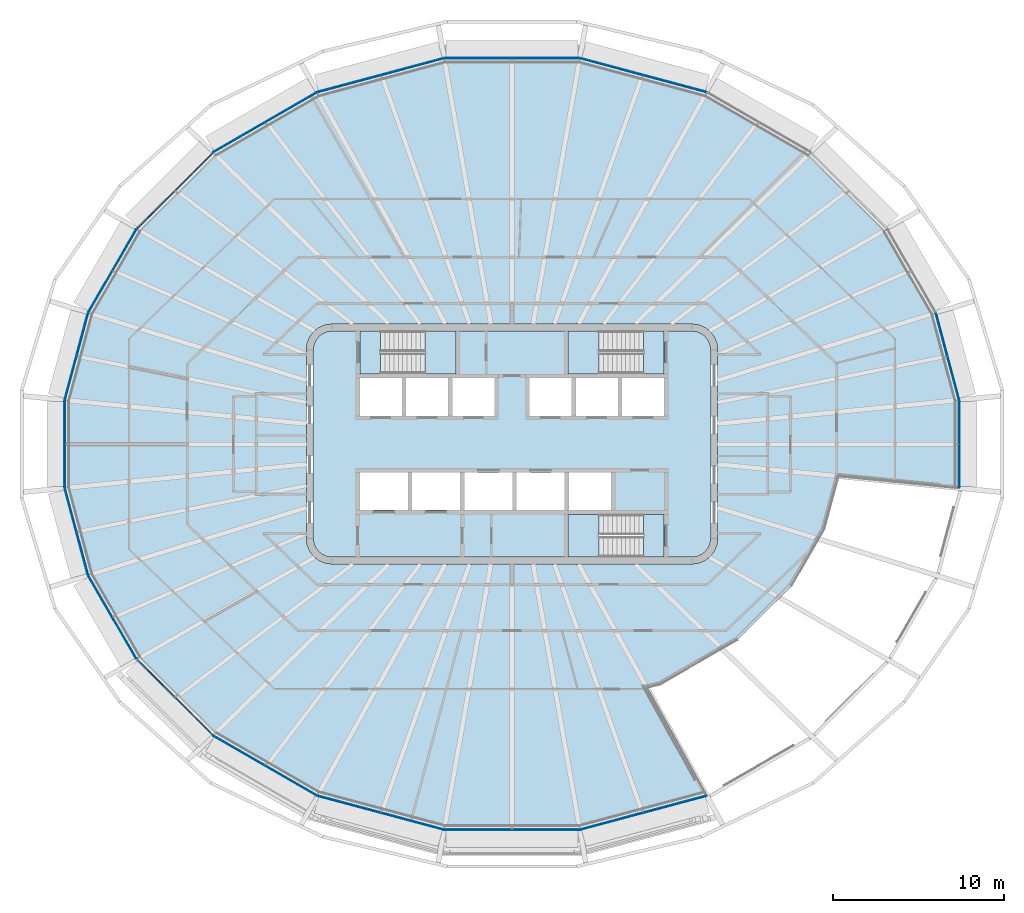
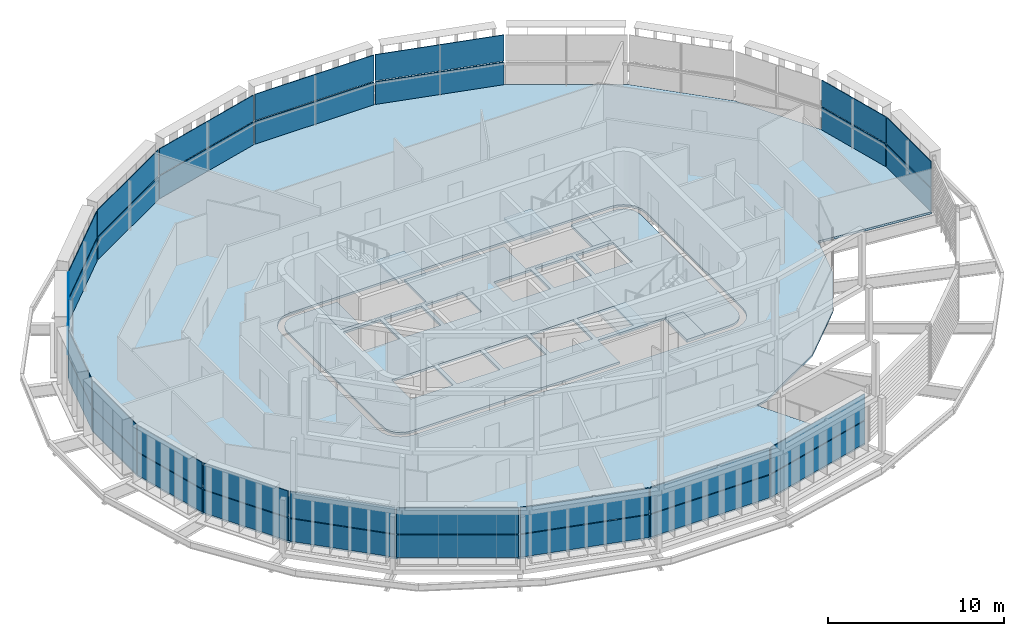
# One storey, part 7 of 18: 34 plates, 8 slabs, 20 elements without a shape of their own.
"""IFC4 building model written with IfcOpenShell, lengths in metres."""

from ifc_helpers import new_model, si_unit, direction, frame, origin, place, context, subcontext, project, spatial, polyline, outline, extrude, material, layer, layer_set, type_object, element, aggregate, save


model = new_model("IFC4")

# Units and contexts
model_context = context("Model", 3, precision=1e-05, world=origin(), true_north=direction((0.0, 1.0)))
body_context = subcontext(model_context, "Body", "Model", "MODEL_VIEW")
ifc_project = project(units=[si_unit("LENGTHUNIT", "METRE"), si_unit("AREAUNIT", "SQUARE_METRE"), si_unit("VOLUMEUNIT", "CUBIC_METRE"), si_unit("PLANEANGLEUNIT", "RADIAN"), si_unit("MASSUNIT", "GRAM", prefix="KILO")], contexts=[model_context])

# Site, building, storey
site_placement = place(None, origin())
site = spatial("IfcSite", under=ifc_project, at=site_placement, CompositionType="ELEMENT")
building_placement = place(site_placement, origin())
building = spatial("IfcBuilding", under=site, at=building_placement, Name="Sahrelin Media Tower", CompositionType="ELEMENT")
storey_placement = place(building_placement, frame((0.0, 0.0, 308.39990234375)))
storey = spatial("IfcBuildingStorey", under=building, at=storey_placement, Name="L68", CompositionType="ELEMENT", Elevation=308.39990234375)

# Slabs
ifc_material_1 = material(Name="Concrete C40/50", Category="concrete")
ifc_layer_1 = layer(ifc_material_1, 0.14990234375)
ifc_layer_set_1 = layer_set([ifc_layer_1], Name="Composite floor slab 150")
slab_type_1 = type_object("IfcSlabType", Name="Composite floor slab 150", PredefinedType="FLOOR", material=ifc_layer_set_1)
placement_1 = place(storey_placement, frame((0.0, 0.0, -0.14990234375)))
element("IfcSlab", 1, at=placement_1, inside=storey, type_object=slab_type_1, Name="Floor slab L68", PredefinedType="FLOOR", context=body_context, shape_type="SweptSolid", body=[
    extrude(outline(polyline([(26.078369140625, -2.56591796875), (26.07861328125, -2.565185546875), (26.07861328125, 2.565185546875), (24.7158203125, 7.650634765625), (21.885498046875, 12.55322265625), (17.441162109375, 16.997314453125), (11.3564453125, 20.510498046875), (3.95751953125, 22.492919921875), (-3.95751953125, 22.492919921875), (-11.3564453125, 20.510498046875), (-17.441162109375, 16.997314453125), (-21.885498046875, 12.55322265625), (-24.7158203125, 7.650634765625), (-26.07861328125, 2.565185546875), (-26.07861328125, -2.565185546875), (-24.7158203125, -7.650634765625), (-21.885498046875, -12.55322265625), (-17.441162109375, -16.997314453125), (-11.3564453125, -20.510498046875), (-3.95751953125, -22.492919921875), (3.95751953125, -22.492919921875), (11.354248046875, -20.510986328125), (7.87060546875, -14.21826171875), (8.662353515625, -14.006103515625), (13.155517578125, -11.412109375), (16.300048828125, -8.267333984375), (18.21142578125, -4.956298828125), (19.03759765625, -1.873291015625), (26.078369140625, -2.56591796875)]), holes=[polyline([(11.799072265625, 6.25), (11.948974609375, 5.88818359375), (12.0, 5.5), (12.0, -5.5), (11.948974609375, -5.88818359375), (11.799072265625, -6.25), (11.560791015625, -6.560791015625), (11.25, -6.799072265625), (10.88818359375, -6.948974609375), (10.5, -7.0), (-10.5, -7.0), (-10.88818359375, -6.948974609375), (-11.25, -6.799072265625), (-11.560791015625, -6.560791015625), (-11.799072265625, -6.25), (-11.948974609375, -5.88818359375), (-12.0, -5.5), (-12.0, 5.5), (-11.948974609375, 5.88818359375), (-11.799072265625, 6.25), (-11.560791015625, 6.560791015625), (-11.25, 6.799072265625), (-10.88818359375, 6.948974609375), (-10.5, 7.0), (10.5, 7.0), (10.88818359375, 6.948974609375), (11.25, 6.799072265625), (11.560791015625, 6.560791015625), (11.799072265625, 6.25)])]), origin(), (0.0, 0.0, 1.0), 0.14990234375),
])
ifc_layer_2 = layer(ifc_material_1, 0.14990234375)
ifc_layer_set_2 = layer_set([ifc_layer_2], Name="Core floor slab 150")
slab_type_2 = type_object("IfcSlabType", Name="Core floor slab 150", PredefinedType="FLOOR", material=ifc_layer_set_2)
element("IfcSlab", 2, at=placement_1, inside=storey, type_object=slab_type_2, Name="Core floor", PredefinedType="FLOOR", context=body_context, shape_type="SweptSolid", body=[
    extrude(outline(polyline([(-11.60009765625, -5.473876953125), (-11.55908203125, -5.78369140625), (-11.44970703125, -6.04833984375), (-11.275390625, -6.275390625), (-11.04833984375, -6.44970703125), (-10.78369140625, -6.55908203125), (-10.473876953125, -6.60009765625), (3.27490234375, -6.60009765625), (3.27490234375, -4.10009765625), (8.875, -4.10009765625), (8.875, -6.60009765625), (10.473876953125, -6.60009765625), (10.78369140625, -6.55908203125), (11.04833984375, -6.44970703125), (11.275390625, -6.275390625), (11.44970703125, -6.04833984375), (11.55908203125, -5.78369140625), (11.60009765625, -5.473876953125), (11.60009765625, 5.473876953125), (11.55908203125, 5.78369140625), (11.44970703125, 6.04833984375), (11.275390625, 6.275390625), (11.04833984375, 6.44970703125), (10.78369140625, 6.55908203125), (10.473876953125, 6.60009765625), (8.875, 6.60009765625), (8.875, 4.10009765625), (3.27490234375, 4.10009765625), (3.27490234375, 6.60009765625), (-3.27490234375, 6.60009765625), (-3.27490234375, 4.10009765625), (-8.875, 4.10009765625), (-8.875, 6.60009765625), (-10.473876953125, 6.60009765625), (-10.78369140625, 6.55908203125), (-11.04833984375, 6.44970703125), (-11.275390625, 6.275390625), (-11.44970703125, 6.04833984375), (-11.55908203125, 5.78369140625), (-11.60009765625, 5.473876953125), (-11.60009765625, -5.473876953125)]), holes=[polyline([(-8.875, 3.85009765625), (-8.875, 1.64990234375), (-6.425048828125, 1.64990234375), (-6.425048828125, 3.85009765625), (-8.875, 3.85009765625)]), polyline([(-3.72509765625, 3.85009765625), (-6.175048828125, 3.85009765625), (-6.175048828125, 1.64990234375), (-3.72509765625, 1.64990234375), (-3.72509765625, 3.85009765625)]), polyline([(-1.02490234375, 1.64990234375), (-1.02490234375, 3.85009765625), (-3.47509765625, 3.85009765625), (-3.47509765625, 1.64990234375), (-1.02490234375, 1.64990234375)]), polyline([(1.02490234375, 1.64990234375), (3.47509765625, 1.64990234375), (3.47509765625, 3.85009765625), (1.02490234375, 3.85009765625), (1.02490234375, 1.64990234375)]), polyline([(3.72509765625, 3.85009765625), (3.72509765625, 1.64990234375), (6.175048828125, 1.64990234375), (6.175048828125, 3.85009765625), (3.72509765625, 3.85009765625)]), polyline([(8.875, 3.85009765625), (6.425048828125, 3.85009765625), (6.425048828125, 1.64990234375), (8.875, 1.64990234375), (8.875, 3.85009765625)]), polyline([(-6.074951171875, -3.85009765625), (-6.074951171875, -1.64990234375), (-8.875, -1.64990234375), (-8.875, -3.85009765625), (-6.074951171875, -3.85009765625)]), polyline([(-5.824951171875, -3.85009765625), (-3.02490234375, -3.85009765625), (-3.02490234375, -1.64990234375), (-5.824951171875, -1.64990234375), (-5.824951171875, -3.85009765625)]), polyline([(-2.77490234375, -1.64990234375), (-2.77490234375, -3.85009765625), (0.02490234375, -3.85009765625), (0.02490234375, -1.64990234375), (-2.77490234375, -1.64990234375)]), polyline([(3.074951171875, -1.64990234375), (0.27490234375, -1.64990234375), (0.27490234375, -3.85009765625), (3.074951171875, -3.85009765625), (3.074951171875, -1.64990234375)]), polyline([(5.77490234375, -3.85009765625), (5.77490234375, -1.64990234375), (3.324951171875, -1.64990234375), (3.324951171875, -3.85009765625), (5.77490234375, -3.85009765625)])]), origin(), (0.0, 0.0, 1.0), 0.14990234375),
])

# Curtain wall, plate
ifc_material_2 = material(Name="Champagne anodised aluminium 6063-T6", Category="aluminium")
ifc_layer_3 = layer(ifc_material_2, 0.14990234375)
ifc_layer_set_3 = layer_set([ifc_layer_3], Name="Tower ribbon curtain wall")
curtain_wall_type = type_object("IfcCurtainWallType", Name="Tower ribbon curtain wall", PredefinedType="NOTDEFINED", material=ifc_layer_set_3)
curtain_wall_1_placement = place(storey_placement, frame((26.098388671875, 0.0, 0.0), z_axis=(0.0, 0.0, 1.0), x_axis=(1.0, 0.0, 0.0)))
curtain_wall_1 = element("IfcCurtainWall", 3, at=curtain_wall_1_placement, inside=storey, type_object=curtain_wall_type, Name="L68:CW:L68-00", PredefinedType="NOTDEFINED")
ifc_material_3 = material(Name="Clear low-iron glazing", Category="glass")
ifc_layer_4 = layer(ifc_material_3, 0.048095703125)
ifc_layer_set_4 = layer_set([ifc_layer_4], Name="Glazing panel 48 mm CW1C")
plate_type_1 = type_object("IfcPlateType", Name="Glazing panel 48 mm CW1C", PredefinedType="CURTAIN_PANEL", material=ifc_layer_set_4)
plate_1_placement = place(storey_placement, frame((26.118408203125, -2.517822265625, 1.630126953125), z_axis=(1.0, 0.0, 0.0), x_axis=(0.0, 1.0, 0.0)))
plate_1 = element("IfcPlate", 4, at=plate_1_placement, type_object=plate_type_1, Name="L68:CWP2:L68-00", PredefinedType="CURTAIN_PANEL", context=body_context, shape_type="SweptSolid", body=[
    extrude(outline(polyline([(0.0, 0.0), (5.03564453125, 0.0), (5.03564453125, 1.818603515625), (0.0, 1.818603515625), (0.0, 0.0)])), origin(), (0.0, 0.0, -1.0), 0.048095703125),
])

curtain_wall_2_placement = place(storey_placement, frame((25.41650390625, 5.113037109375, 0.0), z_axis=(0.0, 0.0, 1.0), x_axis=(1.0, 0.0, 0.0)))
curtain_wall_2 = element("IfcCurtainWall", 5, at=curtain_wall_2_placement, inside=storey, type_object=curtain_wall_type, Name="L68:CW:L68-01", PredefinedType="NOTDEFINED")
plate_2_placement = place(storey_placement, frame((26.10498046875, 2.621337890625, 1.630126953125), z_axis=(0.965924654363, 0.258823418752, 0.0), x_axis=(-0.258823418752, 0.965924654363, 0.0)))
plate_2 = element("IfcPlate", 6, at=plate_2_placement, type_object=plate_type_1, Name="L68:CWP2:L68-01", PredefinedType="CURTAIN_PANEL", context=body_context, shape_type="SweptSolid", body=[
    extrude(outline(polyline([(0.0, 0.0), (5.170166015625, 0.0), (5.170166015625, 1.818603515625), (0.0, 1.818603515625), (0.0, 0.0)])), origin(), (0.0, 0.0, -1.0), 0.048095703125),
])

curtain_wall_3_placement = place(storey_placement, frame((7.662109375, 21.52099609375, 0.0), z_axis=(0.0, 0.0, 1.0), x_axis=(1.0, 0.0, 0.0)))
curtain_wall_3 = element("IfcCurtainWall", 7, at=curtain_wall_3_placement, inside=storey, type_object=curtain_wall_type, Name="L68:CW:L68-05", PredefinedType="NOTDEFINED")
plate_3_placement = place(storey_placement, frame((11.321044921875, 20.561279296875, 1.630126953125), z_axis=(0.258819428142, 0.965925723654, 0.0), x_axis=(-0.965925723654, 0.258819428142, 0.0)))
plate_3 = element("IfcPlate", 8, at=plate_3_placement, type_object=plate_type_1, Name="L68:CWP2:L68-05", PredefinedType="CURTAIN_PANEL", context=body_context, shape_type="SweptSolid", body=[
    extrude(outline(polyline([(0.0, 0.0), (7.565185546875, 0.0), (7.565185546875, 1.818603515625), (0.0, 1.818603515625), (0.0, 0.0)])), origin(), (0.0, 0.0, -1.0), 0.048095703125),
])

curtain_wall_4_placement = place(storey_placement, frame((0.0, 22.512939453125, 0.0), z_axis=(0.0, 0.0, 1.0), x_axis=(1.0, 0.0, 0.0)))
curtain_wall_4 = element("IfcCurtainWall", 9, at=curtain_wall_4_placement, inside=storey, type_object=curtain_wall_type, Name="L68:CW:L68-06", PredefinedType="NOTDEFINED")
plate_4_placement = place(storey_placement, frame((3.91015625, 22.532958984375, 1.630126953125), z_axis=(0.0, 1.0, 0.0), x_axis=(-1.0, 0.0, 0.0)))
plate_4 = element("IfcPlate", 10, at=plate_4_placement, type_object=plate_type_1, Name="L68:CWP2:L68-06", PredefinedType="CURTAIN_PANEL", context=body_context, shape_type="SweptSolid", body=[
    extrude(outline(polyline([(0.0, 0.0), (7.8203125, 0.0), (7.8203125, 1.818603515625), (0.0, 1.818603515625), (0.0, 0.0)])), origin(), (0.0, 0.0, -1.0), 0.048095703125),
])

curtain_wall_5_placement = place(storey_placement, frame((-7.662109375, 21.52099609375, 0.0), z_axis=(0.0, 0.0, 1.0), x_axis=(1.0, 0.0, 0.0)))
curtain_wall_5 = element("IfcCurtainWall", 11, at=curtain_wall_5_placement, inside=storey, type_object=curtain_wall_type, Name="L68:CW:L68-07", PredefinedType="NOTDEFINED")
plate_5_placement = place(storey_placement, frame((-4.013671875, 22.519287109375, 1.630126953125), z_axis=(-0.258819428142, 0.965925723654, 0.0), x_axis=(-0.965925723654, -0.258819428142, 0.0)))
plate_5 = element("IfcPlate", 12, at=plate_5_placement, type_object=plate_type_1, Name="L68:CWP2:L68-07", PredefinedType="CURTAIN_PANEL", context=body_context, shape_type="SweptSolid", body=[
    extrude(outline(polyline([(0.0, 0.0), (7.565185546875, 0.0), (7.565185546875, 1.818603515625), (0.0, 1.818603515625), (0.0, 0.0)])), origin(), (0.0, 0.0, -1.0), 0.048095703125),
])

curtain_wall_6_placement = place(storey_placement, frame((-14.40869140625, 18.771240234375, 0.0), z_axis=(0.0, 0.0, 1.0), x_axis=(1.0, 0.0, 0.0)))
curtain_wall_6 = element("IfcCurtainWall", 13, at=curtain_wall_6_placement, inside=storey, type_object=curtain_wall_type, Name="L68:CW:L68-08", PredefinedType="NOTDEFINED")
plate_6_placement = place(storey_placement, frame((-11.41748046875, 20.521240234375, 1.630126953125), z_axis=(-0.49999178238, 0.866030148178, 0.0), x_axis=(-0.866030148178, -0.49999178238, 0.0)))
plate_6 = element("IfcPlate", 14, at=plate_6_placement, type_object=plate_type_1, Name="L68:CWP2:L68-08", PredefinedType="CURTAIN_PANEL", context=body_context, shape_type="SweptSolid", body=[
    extrude(outline(polyline([(0.0, 0.0), (6.93115234375, 0.0), (6.93115234375, 1.818603515625), (0.0, 1.818603515625), (0.0, 0.0)])), origin(), (0.0, 0.0, -1.0), 0.048095703125),
])

curtain_wall_7_placement = place(storey_placement, frame((-19.677490234375, 14.78955078125, 0.0), z_axis=(0.0, 0.0, 1.0), x_axis=(1.0, 0.0, 0.0)))
curtain_wall_7 = element("IfcCurtainWall", 15, at=curtain_wall_7_placement, inside=storey, type_object=curtain_wall_type, Name="L68:CW:L68-09", PredefinedType="NOTDEFINED")
plate_7_placement = place(storey_placement, frame((-17.5029296875, 16.9921875, 1.630126953125), z_axis=(-0.707106781187, 0.707106781187, 0.0), x_axis=(-0.707106781187, -0.707106781187, 0.0)))
plate_7 = element("IfcPlate", 16, at=plate_7_placement, type_object=plate_type_1, Name="L68:CWP2:L68-09", PredefinedType="CURTAIN_PANEL", context=body_context, shape_type="SweptSolid", body=[
    extrude(outline(polyline([(0.0, 0.0), (6.190185546875, 0.0), (6.190185546875, 1.818603515625), (0.0, 1.818603515625), (0.0, 0.0)])), origin(), (0.0, 0.0, -1.0), 0.048095703125),
])

curtain_wall_8_placement = place(storey_placement, frame((-23.318115234375, 10.11181640625, 0.0), z_axis=(0.0, 0.0, 1.0), x_axis=(1.0, 0.0, 0.0)))
curtain_wall_8 = element("IfcCurtainWall", 17, at=curtain_wall_8_placement, inside=storey, type_object=curtain_wall_type, Name="L68:CW:L68-10", PredefinedType="NOTDEFINED")
plate_8_placement = place(storey_placement, frame((-21.943603515625, 12.5322265625, 1.630126953125), z_axis=(-0.866021245731, 0.500007201891, 0.0), x_axis=(-0.500007201891, -0.866021245731, 0.0)))
plate_8 = element("IfcPlate", 18, at=plate_8_placement, type_object=plate_type_1, Name="L68:CWP2:L68-10", PredefinedType="CURTAIN_PANEL", context=body_context, shape_type="SweptSolid", body=[
    extrude(outline(polyline([(0.0, 0.0), (5.56640625, 0.0), (5.56640625, 1.818603515625), (0.0, 1.818603515625), (0.0, 0.0)])), origin(), (0.0, 0.0, -1.0), 0.048095703125),
])

curtain_wall_9_placement = place(storey_placement, frame((-25.41650390625, 5.113037109375, 0.0), z_axis=(0.0, 0.0, 1.0), x_axis=(1.0, 0.0, 0.0)))
curtain_wall_9 = element("IfcCurtainWall", 19, at=curtain_wall_9_placement, inside=storey, type_object=curtain_wall_type, Name="L68:CW:L68-11", PredefinedType="NOTDEFINED")
plate_9_placement = place(storey_placement, frame((-24.766845703125, 7.615234375, 1.630126953125), z_axis=(-0.965924654363, 0.258823418752, 0.0), x_axis=(-0.258823418752, -0.965924654363, 0.0)))
plate_9 = element("IfcPlate", 20, at=plate_9_placement, type_object=plate_type_1, Name="L68:CWP2:L68-11", PredefinedType="CURTAIN_PANEL", context=body_context, shape_type="SweptSolid", body=[
    extrude(outline(polyline([(0.0, 0.0), (5.170166015625, 0.0), (5.170166015625, 1.818603515625), (0.0, 1.818603515625), (0.0, 0.0)])), origin(), (0.0, 0.0, -1.0), 0.048095703125),
])

curtain_wall_10_placement = place(storey_placement, frame((-26.098388671875, 0.0, 0.0), z_axis=(0.0, 0.0, 1.0), x_axis=(1.0, 0.0, 0.0)))
curtain_wall_10 = element("IfcCurtainWall", 21, at=curtain_wall_10_placement, inside=storey, type_object=curtain_wall_type, Name="L68:CW:L68-12", PredefinedType="NOTDEFINED")
plate_10_placement = place(storey_placement, frame((-26.118408203125, 2.517822265625, 1.630126953125), z_axis=(-1.0, 0.0, 0.0), x_axis=(0.0, -1.0, 0.0)))
plate_10 = element("IfcPlate", 22, at=plate_10_placement, type_object=plate_type_1, Name="L68:CWP2:L68-12", PredefinedType="CURTAIN_PANEL", context=body_context, shape_type="SweptSolid", body=[
    extrude(outline(polyline([(0.0, 0.0), (5.03564453125, 0.0), (5.03564453125, 1.818603515625), (0.0, 1.818603515625), (0.0, 0.0)])), origin(), (0.0, 0.0, -1.0), 0.048095703125),
])

curtain_wall_11_placement = place(storey_placement, frame((-25.41650390625, -5.113037109375, 0.0), z_axis=(0.0, 0.0, 1.0), x_axis=(1.0, 0.0, 0.0)))
curtain_wall_11 = element("IfcCurtainWall", 23, at=curtain_wall_11_placement, inside=storey, type_object=curtain_wall_type, Name="L68:CW:L68-13", PredefinedType="NOTDEFINED")
plate_11_placement = place(storey_placement, frame((-26.10498046875, -2.621337890625, 1.630126953125), z_axis=(-0.965924654363, -0.258823418752, 0.0), x_axis=(0.258823418752, -0.965924654363, 0.0)))
plate_11 = element("IfcPlate", 24, at=plate_11_placement, type_object=plate_type_1, Name="L68:CWP2:L68-13", PredefinedType="CURTAIN_PANEL", context=body_context, shape_type="SweptSolid", body=[
    extrude(outline(polyline([(0.0, 0.0), (5.170166015625, 0.0), (5.170166015625, 1.818603515625), (0.0, 1.818603515625), (0.0, 0.0)])), origin(), (0.0, 0.0, -1.0), 0.048095703125),
])

curtain_wall_12_placement = place(storey_placement, frame((-23.31787109375, -10.11181640625, 0.0), z_axis=(0.0, 0.0, 1.0), x_axis=(1.0, 0.0, 0.0)))
curtain_wall_12 = element("IfcCurtainWall", 25, at=curtain_wall_12_placement, inside=storey, type_object=curtain_wall_type, Name="L68:CW:L68-14", PredefinedType="NOTDEFINED")
plate_12_placement = place(storey_placement, frame((-24.726806640625, -7.711669921875, 1.630126953125), z_axis=(-0.866021245731, -0.500007201891, 0.0), x_axis=(0.500007201891, -0.866021245731, 0.0)))
plate_12 = element("IfcPlate", 26, at=plate_12_placement, type_object=plate_type_1, Name="L68:CWP2:L68-14", PredefinedType="CURTAIN_PANEL", context=body_context, shape_type="SweptSolid", body=[
    extrude(outline(polyline([(0.0, 0.0), (5.56640625, 0.0), (5.56640625, 1.818603515625), (0.0, 1.818603515625), (0.0, 0.0)])), origin(), (0.0, 0.0, -1.0), 0.048095703125),
])

curtain_wall_13_placement = place(storey_placement, frame((-19.677490234375, -14.789306640625, 0.0), z_axis=(0.0, 0.0, 1.0), x_axis=(1.0, 0.0, 0.0)))
curtain_wall_13 = element("IfcCurtainWall", 27, at=curtain_wall_13_placement, inside=storey, type_object=curtain_wall_type, Name="L68:CW:L68-15", PredefinedType="NOTDEFINED")
plate_13_placement = place(storey_placement, frame((-21.880126953125, -12.614990234375, 1.630126953125), z_axis=(-0.707106781187, -0.707106781187, 0.0), x_axis=(0.707106781187, -0.707106781187, 0.0)))
plate_13 = element("IfcPlate", 28, at=plate_13_placement, type_object=plate_type_1, Name="L68:CWP2:L68-15", PredefinedType="CURTAIN_PANEL", context=body_context, shape_type="SweptSolid", body=[
    extrude(outline(polyline([(0.0, 0.0), (6.190185546875, 0.0), (6.190185546875, 1.818603515625), (0.0, 1.818603515625), (0.0, 0.0)])), origin(), (0.0, 0.0, -1.0), 0.048095703125),
])

curtain_wall_14_placement = place(storey_placement, frame((-14.408935546875, -18.771240234375, 0.0), z_axis=(0.0, 0.0, 1.0), x_axis=(1.0, 0.0, 0.0)))
curtain_wall_14 = element("IfcCurtainWall", 29, at=curtain_wall_14_placement, inside=storey, type_object=curtain_wall_type, Name="L68:CW:L68-16", PredefinedType="NOTDEFINED")
plate_14_placement = place(storey_placement, frame((-17.420166015625, -17.0556640625, 1.630126953125), z_axis=(-0.49999178238, -0.866030148178, 0.0), x_axis=(0.866030148178, -0.49999178238, 0.0)))
plate_14 = element("IfcPlate", 30, at=plate_14_placement, type_object=plate_type_1, Name="L68:CWP2:L68-16", PredefinedType="CURTAIN_PANEL", context=body_context, shape_type="SweptSolid", body=[
    extrude(outline(polyline([(0.0, 0.0), (6.93115234375, 0.0), (6.93115234375, 1.818603515625), (0.0, 1.818603515625), (0.0, 0.0)])), origin(), (0.0, 0.0, -1.0), 0.048095703125),
])

curtain_wall_15_placement = place(storey_placement, frame((-7.662109375, -21.52099609375, 0.0), z_axis=(0.0, 0.0, 1.0), x_axis=(1.0, 0.0, 0.0)))
curtain_wall_15 = element("IfcCurtainWall", 31, at=curtain_wall_15_placement, inside=storey, type_object=curtain_wall_type, Name="L68:CW:L68-17", PredefinedType="NOTDEFINED")
plate_15_placement = place(storey_placement, frame((-11.321044921875, -20.561279296875, 1.630126953125), z_axis=(-0.258819428142, -0.965925723654, 0.0), x_axis=(0.965925723654, -0.258819428142, 0.0)))
plate_15 = element("IfcPlate", 32, at=plate_15_placement, type_object=plate_type_1, Name="L68:CWP2:L68-17", PredefinedType="CURTAIN_PANEL", context=body_context, shape_type="SweptSolid", body=[
    extrude(outline(polyline([(0.0, 0.0), (7.565185546875, 0.0), (7.565185546875, 1.818603515625), (0.0, 1.818603515625), (0.0, 0.0)])), origin(), (0.0, 0.0, -1.0), 0.048095703125),
])

curtain_wall_16_placement = place(storey_placement, frame((0.0, -22.512939453125, 0.0), z_axis=(0.0, 0.0, 1.0), x_axis=(1.0, 0.0, 0.0)))
curtain_wall_16 = element("IfcCurtainWall", 33, at=curtain_wall_16_placement, inside=storey, type_object=curtain_wall_type, Name="L68:CW:L68-18", PredefinedType="NOTDEFINED")
plate_16_placement = place(storey_placement, frame((-3.91015625, -22.532958984375, 1.630126953125), z_axis=(0.0, -1.0, 0.0), x_axis=(1.0, 0.0, 0.0)))
plate_16 = element("IfcPlate", 34, at=plate_16_placement, type_object=plate_type_1, Name="L68:CWP2:L68-18", PredefinedType="CURTAIN_PANEL", context=body_context, shape_type="SweptSolid", body=[
    extrude(outline(polyline([(0.0, 0.0), (7.8203125, 0.0), (7.8203125, 1.818603515625), (0.0, 1.818603515625), (0.0, 0.0)])), origin(), (0.0, 0.0, -1.0), 0.048095703125),
])

curtain_wall_17_placement = place(storey_placement, frame((7.662109375, -21.52099609375, 0.0), z_axis=(0.0, 0.0, 1.0), x_axis=(1.0, 0.0, 0.0)))
curtain_wall_17 = element("IfcCurtainWall", 35, at=curtain_wall_17_placement, inside=storey, type_object=curtain_wall_type, Name="L68:CW:L68-19", PredefinedType="NOTDEFINED")
plate_17_placement = place(storey_placement, frame((4.013671875, -22.519287109375, 1.630126953125), z_axis=(0.258819428142, -0.965925723654, 0.0), x_axis=(0.965925723654, 0.258819428142, 0.0)))
plate_17 = element("IfcPlate", 36, at=plate_17_placement, type_object=plate_type_1, Name="L68:CWP2:L68-19", PredefinedType="CURTAIN_PANEL", context=body_context, shape_type="SweptSolid", body=[
    extrude(outline(polyline([(0.0, 0.0), (7.565185546875, 0.0), (7.565185546875, 1.818603515625), (0.0, 1.818603515625), (0.0, 0.0)])), origin(), (0.0, 0.0, -1.0), 0.048095703125),
])

# Plate
ifc_material_4 = material(Name="Insulated spandrel panel")
ifc_layer_5 = layer(ifc_material_4, 0.06005859375)
ifc_layer_set_5 = layer_set([ifc_layer_5], Name="Spandrel panel 60 mm CW1")
plate_type_2 = type_object("IfcPlateType", Name="Spandrel panel 60 mm CW1", PredefinedType="SHEET", material=ifc_layer_set_5)
plate_18_placement = place(storey_placement, frame((26.118408203125, -2.517822265625, 0.0), z_axis=(1.0, 0.0, 0.0), x_axis=(0.0, 1.0, 0.0)))
plate_18 = element("IfcPlate", 37, at=plate_18_placement, type_object=plate_type_2, Name="L68:CWP1:L68-00", PredefinedType="SHEET", context=body_context, shape_type="SweptSolid", body=[
    extrude(outline(polyline([(0.0, 0.0), (5.03564453125, 0.0), (5.03564453125, 1.570068359375), (0.0, 1.570068359375), (0.0, 0.0)])), origin(), (0.0, 0.0, -1.0), 0.06005859375),
])

aggregate(curtain_wall_1, [plate_18, plate_1])

plate_19_placement = place(storey_placement, frame((26.10498046875, 2.621337890625, 0.0), z_axis=(0.965924654363, 0.258823418752, 0.0), x_axis=(-0.258823418752, 0.965924654363, 0.0)))
plate_19 = element("IfcPlate", 38, at=plate_19_placement, type_object=plate_type_2, Name="L68:CWP1:L68-01", PredefinedType="SHEET", context=body_context, shape_type="SweptSolid", body=[
    extrude(outline(polyline([(0.0, 0.0), (5.170166015625, 0.0), (5.170166015625, 1.570068359375), (0.0, 1.570068359375), (0.0, 0.0)])), origin(), (0.0, 0.0, -1.0), 0.06005859375),
])

aggregate(curtain_wall_2, [plate_19, plate_2])

plate_20_placement = place(storey_placement, frame((11.321044921875, 20.561279296875, 0.0), z_axis=(0.258819428142, 0.965925723654, 0.0), x_axis=(-0.965925723654, 0.258819428142, 0.0)))
plate_20 = element("IfcPlate", 39, at=plate_20_placement, type_object=plate_type_2, Name="L68:CWP1:L68-05", PredefinedType="SHEET", context=body_context, shape_type="SweptSolid", body=[
    extrude(outline(polyline([(0.0, 0.0), (7.565185546875, 0.0), (7.565185546875, 1.570068359375), (0.0, 1.570068359375), (0.0, 0.0)])), origin(), (0.0, 0.0, -1.0), 0.06005859375),
])

aggregate(curtain_wall_3, [plate_20, plate_3])

plate_21_placement = place(storey_placement, frame((3.91015625, 22.532958984375, 0.0), z_axis=(0.0, 1.0, 0.0), x_axis=(-1.0, 0.0, 0.0)))
plate_21 = element("IfcPlate", 40, at=plate_21_placement, type_object=plate_type_2, Name="L68:CWP1:L68-06", PredefinedType="SHEET", context=body_context, shape_type="SweptSolid", body=[
    extrude(outline(polyline([(0.0, 0.0), (7.8203125, 0.0), (7.8203125, 1.570068359375), (0.0, 1.570068359375), (0.0, 0.0)])), origin(), (0.0, 0.0, -1.0), 0.06005859375),
])

aggregate(curtain_wall_4, [plate_21, plate_4])

plate_22_placement = place(storey_placement, frame((-4.013671875, 22.519287109375, 0.0), z_axis=(-0.258819428142, 0.965925723654, 0.0), x_axis=(-0.965925723654, -0.258819428142, 0.0)))
plate_22 = element("IfcPlate", 41, at=plate_22_placement, type_object=plate_type_2, Name="L68:CWP1:L68-07", PredefinedType="SHEET", context=body_context, shape_type="SweptSolid", body=[
    extrude(outline(polyline([(0.0, 0.0), (7.565185546875, 0.0), (7.565185546875, 1.570068359375), (0.0, 1.570068359375), (0.0, 0.0)])), origin(), (0.0, 0.0, -1.0), 0.06005859375),
])

aggregate(curtain_wall_5, [plate_22, plate_5])

plate_23_placement = place(storey_placement, frame((-11.41748046875, 20.521240234375, 0.0), z_axis=(-0.49999178238, 0.866030148178, 0.0), x_axis=(-0.866030148178, -0.49999178238, 0.0)))
plate_23 = element("IfcPlate", 42, at=plate_23_placement, type_object=plate_type_2, Name="L68:CWP1:L68-08", PredefinedType="SHEET", context=body_context, shape_type="SweptSolid", body=[
    extrude(outline(polyline([(0.0, 0.0), (6.93115234375, 0.0), (6.93115234375, 1.570068359375), (0.0, 1.570068359375), (0.0, 0.0)])), origin(), (0.0, 0.0, -1.0), 0.06005859375),
])

aggregate(curtain_wall_6, [plate_23, plate_6])

plate_24_placement = place(storey_placement, frame((-17.5029296875, 16.9921875, 0.0), z_axis=(-0.707106781187, 0.707106781187, 0.0), x_axis=(-0.707106781187, -0.707106781187, 0.0)))
plate_24 = element("IfcPlate", 43, at=plate_24_placement, type_object=plate_type_2, Name="L68:CWP1:L68-09", PredefinedType="SHEET", context=body_context, shape_type="SweptSolid", body=[
    extrude(outline(polyline([(0.0, 0.0), (6.190185546875, 0.0), (6.190185546875, 1.570068359375), (0.0, 1.570068359375), (0.0, 0.0)])), origin(), (0.0, 0.0, -1.0), 0.06005859375),
])

aggregate(curtain_wall_7, [plate_24, plate_7])

plate_25_placement = place(storey_placement, frame((-21.943603515625, 12.5322265625, 0.0), z_axis=(-0.866021245731, 0.500007201891, 0.0), x_axis=(-0.500007201891, -0.866021245731, 0.0)))
plate_25 = element("IfcPlate", 44, at=plate_25_placement, type_object=plate_type_2, Name="L68:CWP1:L68-10", PredefinedType="SHEET", context=body_context, shape_type="SweptSolid", body=[
    extrude(outline(polyline([(0.0, 0.0), (5.56640625, 0.0), (5.56640625, 1.570068359375), (0.0, 1.570068359375), (0.0, 0.0)])), origin(), (0.0, 0.0, -1.0), 0.06005859375),
])

aggregate(curtain_wall_8, [plate_25, plate_8])

plate_26_placement = place(storey_placement, frame((-24.766845703125, 7.615234375, 0.0), z_axis=(-0.965924654363, 0.258823418752, 0.0), x_axis=(-0.258823418752, -0.965924654363, 0.0)))
plate_26 = element("IfcPlate", 45, at=plate_26_placement, type_object=plate_type_2, Name="L68:CWP1:L68-11", PredefinedType="SHEET", context=body_context, shape_type="SweptSolid", body=[
    extrude(outline(polyline([(0.0, 0.0), (5.170166015625, 0.0), (5.170166015625, 1.570068359375), (0.0, 1.570068359375), (0.0, 0.0)])), origin(), (0.0, 0.0, -1.0), 0.06005859375),
])

aggregate(curtain_wall_9, [plate_26, plate_9])

plate_27_placement = place(storey_placement, frame((-26.118408203125, 2.517822265625, 0.0), z_axis=(-1.0, 0.0, 0.0), x_axis=(0.0, -1.0, 0.0)))
plate_27 = element("IfcPlate", 46, at=plate_27_placement, type_object=plate_type_2, Name="L68:CWP1:L68-12", PredefinedType="SHEET", context=body_context, shape_type="SweptSolid", body=[
    extrude(outline(polyline([(0.0, 0.0), (5.03564453125, 0.0), (5.03564453125, 1.570068359375), (0.0, 1.570068359375), (0.0, 0.0)])), origin(), (0.0, 0.0, -1.0), 0.06005859375),
])

aggregate(curtain_wall_10, [plate_27, plate_10])

plate_28_placement = place(storey_placement, frame((-26.10498046875, -2.621337890625, 0.0), z_axis=(-0.965924654363, -0.258823418752, 0.0), x_axis=(0.258823418752, -0.965924654363, 0.0)))
plate_28 = element("IfcPlate", 47, at=plate_28_placement, type_object=plate_type_2, Name="L68:CWP1:L68-13", PredefinedType="SHEET", context=body_context, shape_type="SweptSolid", body=[
    extrude(outline(polyline([(0.0, 0.0), (5.170166015625, 0.0), (5.170166015625, 1.570068359375), (0.0, 1.570068359375), (0.0, 0.0)])), origin(), (0.0, 0.0, -1.0), 0.06005859375),
])

aggregate(curtain_wall_11, [plate_28, plate_11])

plate_29_placement = place(storey_placement, frame((-24.726806640625, -7.711669921875, 0.0), z_axis=(-0.866021245731, -0.500007201891, 0.0), x_axis=(0.500007201891, -0.866021245731, 0.0)))
plate_29 = element("IfcPlate", 48, at=plate_29_placement, type_object=plate_type_2, Name="L68:CWP1:L68-14", PredefinedType="SHEET", context=body_context, shape_type="SweptSolid", body=[
    extrude(outline(polyline([(0.0, 0.0), (5.56640625, 0.0), (5.56640625, 1.570068359375), (0.0, 1.570068359375), (0.0, 0.0)])), origin(), (0.0, 0.0, -1.0), 0.06005859375),
])

aggregate(curtain_wall_12, [plate_29, plate_12])

plate_30_placement = place(storey_placement, frame((-21.880126953125, -12.614990234375, 0.0), z_axis=(-0.707106781187, -0.707106781187, 0.0), x_axis=(0.707106781187, -0.707106781187, 0.0)))
plate_30 = element("IfcPlate", 49, at=plate_30_placement, type_object=plate_type_2, Name="L68:CWP1:L68-15", PredefinedType="SHEET", context=body_context, shape_type="SweptSolid", body=[
    extrude(outline(polyline([(0.0, 0.0), (6.190185546875, 0.0), (6.190185546875, 1.570068359375), (0.0, 1.570068359375), (0.0, 0.0)])), origin(), (0.0, 0.0, -1.0), 0.06005859375),
])

aggregate(curtain_wall_13, [plate_30, plate_13])

plate_31_placement = place(storey_placement, frame((-17.420166015625, -17.0556640625, 0.0), z_axis=(-0.49999178238, -0.866030148178, 0.0), x_axis=(0.866030148178, -0.49999178238, 0.0)))
plate_31 = element("IfcPlate", 50, at=plate_31_placement, type_object=plate_type_2, Name="L68:CWP1:L68-16", PredefinedType="SHEET", context=body_context, shape_type="SweptSolid", body=[
    extrude(outline(polyline([(0.0, 0.0), (6.93115234375, 0.0), (6.93115234375, 1.570068359375), (0.0, 1.570068359375), (0.0, 0.0)])), origin(), (0.0, 0.0, -1.0), 0.06005859375),
])

aggregate(curtain_wall_14, [plate_31, plate_14])

plate_32_placement = place(storey_placement, frame((-11.321044921875, -20.561279296875, 0.0), z_axis=(-0.258819428142, -0.965925723654, 0.0), x_axis=(0.965925723654, -0.258819428142, 0.0)))
plate_32 = element("IfcPlate", 51, at=plate_32_placement, type_object=plate_type_2, Name="L68:CWP1:L68-17", PredefinedType="SHEET", context=body_context, shape_type="SweptSolid", body=[
    extrude(outline(polyline([(0.0, 0.0), (7.565185546875, 0.0), (7.565185546875, 1.570068359375), (0.0, 1.570068359375), (0.0, 0.0)])), origin(), (0.0, 0.0, -1.0), 0.06005859375),
])

aggregate(curtain_wall_15, [plate_32, plate_15])

plate_33_placement = place(storey_placement, frame((-3.91015625, -22.532958984375, 0.0), z_axis=(0.0, -1.0, 0.0), x_axis=(1.0, 0.0, 0.0)))
plate_33 = element("IfcPlate", 52, at=plate_33_placement, type_object=plate_type_2, Name="L68:CWP1:L68-18", PredefinedType="SHEET", context=body_context, shape_type="SweptSolid", body=[
    extrude(outline(polyline([(0.0, 0.0), (7.8203125, 0.0), (7.8203125, 1.570068359375), (0.0, 1.570068359375), (0.0, 0.0)])), origin(), (0.0, 0.0, -1.0), 0.06005859375),
])

aggregate(curtain_wall_16, [plate_33, plate_16])

plate_34_placement = place(storey_placement, frame((4.013671875, -22.519287109375, 0.0), z_axis=(0.258819428142, -0.965925723654, 0.0), x_axis=(0.965925723654, 0.258819428142, 0.0)))
plate_34 = element("IfcPlate", 53, at=plate_34_placement, type_object=plate_type_2, Name="L68:CWP1:L68-19", PredefinedType="SHEET", context=body_context, shape_type="SweptSolid", body=[
    extrude(outline(polyline([(0.0, 0.0), (7.565185546875, 0.0), (7.565185546875, 1.570068359375), (0.0, 1.570068359375), (0.0, 0.0)])), origin(), (0.0, 0.0, -1.0), 0.06005859375),
])

aggregate(curtain_wall_17, [plate_34, plate_17])

# Stair, slabs
stair_type = type_object("IfcStairType", Name="Exit stair 1200", PredefinedType="HALF_TURN_STAIR", material=ifc_material_1)
placement_2 = place(storey_placement, origin())
stair_1 = element("IfcStair", 54, at=placement_2, inside=storey, type_object=stair_type, Name="L68 Exit stair ST1", PredefinedType="HALF_TURN_STAIR")
ifc_layer_6 = layer(ifc_material_1, 0.199951171875)
ifc_layer_set_6 = layer_set([ifc_layer_6], Name="Stair landing 200")
slab_type_3 = type_object("IfcSlabType", Name="Stair landing 200", PredefinedType="LANDING", material=ifc_layer_set_6)
placement_3 = place(storey_placement, frame((0.0, 0.0, 1.800048828125)))
slab_3 = element("IfcSlab", 55, at=placement_3, type_object=slab_type_3, Name="ST1 landing 1", PredefinedType="LANDING", context=body_context, shape_type="SweptSolid", body=[
    extrude(outline(polyline([(-5.074951171875, 4.10009765625), (-3.27490234375, 4.10009765625), (-3.27490234375, 6.60009765625), (-5.074951171875, 6.60009765625), (-5.074951171875, 4.10009765625)])), origin(), (0.0, 0.0, 1.0), 0.199951171875),
])
placement_4 = place(storey_placement, frame((0.0, 0.0, -0.199951171875)))
slab_4 = element("IfcSlab", 56, at=placement_4, type_object=slab_type_3, Name="ST1 landing 2", PredefinedType="LANDING", context=body_context, shape_type="SweptSolid", body=[
    extrude(outline(polyline([(-8.875, 4.10009765625), (-7.675048828125, 4.10009765625), (-7.675048828125, 6.60009765625), (-8.875, 6.60009765625), (-8.875, 4.10009765625)])), origin(), (0.0, 0.0, 1.0), 0.199951171875),
])
aggregate(stair_1, [slab_3, slab_4])

stair_2 = element("IfcStair", 57, at=placement_2, inside=storey, type_object=stair_type, Name="L68 Exit stair ST3", PredefinedType="HALF_TURN_STAIR")
slab_5 = element("IfcSlab", 58, at=placement_3, type_object=slab_type_3, Name="ST3 landing 1", PredefinedType="LANDING", context=body_context, shape_type="SweptSolid", body=[
    extrude(outline(polyline([(5.074951171875, 6.60009765625), (3.27490234375, 6.60009765625), (3.27490234375, 4.10009765625), (5.074951171875, 4.10009765625), (5.074951171875, 6.60009765625)])), origin(), (0.0, 0.0, 1.0), 0.199951171875),
])
slab_6 = element("IfcSlab", 59, at=placement_4, type_object=slab_type_3, Name="ST3 landing 2", PredefinedType="LANDING", context=body_context, shape_type="SweptSolid", body=[
    extrude(outline(polyline([(8.875, 6.60009765625), (7.675048828125, 6.60009765625), (7.675048828125, 4.10009765625), (8.875, 4.10009765625), (8.875, 6.60009765625)])), origin(), (0.0, 0.0, 1.0), 0.199951171875),
])
aggregate(stair_2, [slab_5, slab_6])

stair_3 = element("IfcStair", 60, at=placement_2, inside=storey, type_object=stair_type, Name="L68 Exit stair ST2", PredefinedType="HALF_TURN_STAIR")
slab_7 = element("IfcSlab", 61, at=placement_3, type_object=slab_type_3, Name="ST2 landing 1", PredefinedType="LANDING", context=body_context, shape_type="SweptSolid", body=[
    extrude(outline(polyline([(5.074951171875, -4.10009765625), (3.27490234375, -4.10009765625), (3.27490234375, -6.60009765625), (5.074951171875, -6.60009765625), (5.074951171875, -4.10009765625)])), origin(), (0.0, 0.0, 1.0), 0.199951171875),
])
slab_8 = element("IfcSlab", 62, at=placement_4, type_object=slab_type_3, Name="ST2 landing 2", PredefinedType="LANDING", context=body_context, shape_type="SweptSolid", body=[
    extrude(outline(polyline([(8.875, -4.10009765625), (7.675048828125, -4.10009765625), (7.675048828125, -6.60009765625), (8.875, -6.60009765625), (8.875, -4.10009765625)])), origin(), (0.0, 0.0, 1.0), 0.199951171875),
])
aggregate(stair_3, [slab_7, slab_8])

save(model, "model.ifc")
